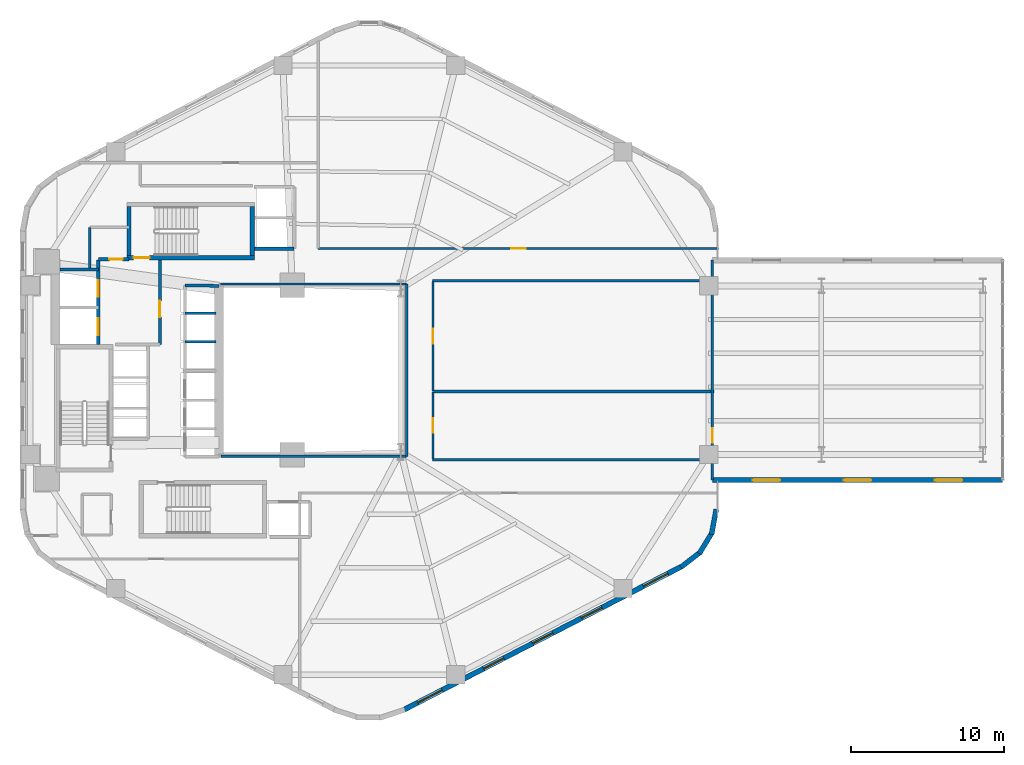
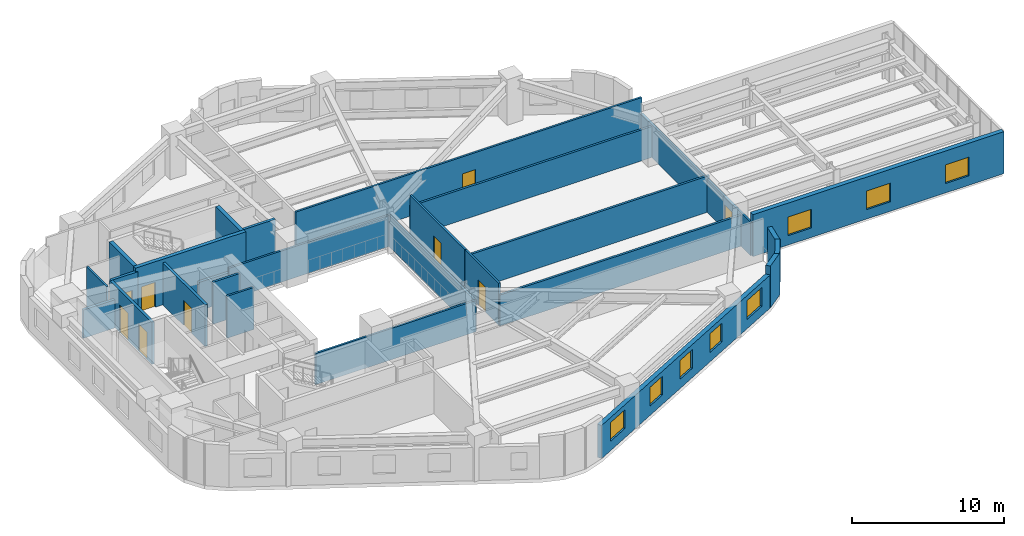
# One storey, part 6 of 10: 27 walls, 9 doors, 8 windows, 17 openings.
"""IFC4 building model written with IfcOpenShell, lengths in metres."""

from ifc_helpers import new_model, si_unit, direction, frame, frame_2d, origin, place, context, subcontext, project, spatial, rectangle, extrude, material, layer, layer_set, type_object, element, fill, save


model = new_model("IFC4")

# Units and contexts
model_context = context("Model", 3, precision=1e-05, world=origin(), true_north=direction((0.0, 1.0)))
body_context = subcontext(model_context, "Body", "Model", "MODEL_VIEW")
ifc_project = project(units=[si_unit("LENGTHUNIT", "METRE"), si_unit("AREAUNIT", "SQUARE_METRE"), si_unit("VOLUMEUNIT", "CUBIC_METRE"), si_unit("PLANEANGLEUNIT", "RADIAN"), si_unit("MASSUNIT", "GRAM", prefix="KILO"), si_unit("THERMODYNAMICTEMPERATUREUNIT", "KELVIN"), si_unit("POWERUNIT", "WATT")], contexts=[model_context])

# Site, building, storey
site_placement = place(None, origin())
site = spatial("IfcSite", under=ifc_project, at=site_placement, CompositionType="ELEMENT")
building_placement = place(site_placement, origin())
building = spatial("IfcBuilding", under=site, at=building_placement, Name="Skarre Station Tower", CompositionType="ELEMENT")
storey_placement = place(building_placement, frame((0.0, 0.0, 56.199951171875)))
storey = spatial("IfcBuildingStorey", under=building, at=storey_placement, Name="L14", CompositionType="ELEMENT", Elevation=56.199951171875)

# Walls
ifc_material_1 = material(Name="Acoustic Steel-Stud Gypsum Partition", Category="steel")
ifc_layer_1 = layer(ifc_material_1, 0.14990234375, Name="Acoustic Steel-Stud Gypsum Partition")
ifc_layer_set_1 = layer_set([ifc_layer_1], Name="Acoustic Steel-Stud Gypsum Partition")
wall_type_1 = type_object("IfcWallType", Name="Fire-Rated Corridor Acoustic Partition 150", PredefinedType="PARTITIONING", material=ifc_layer_set_1)
wall_1_placement = place(storey_placement, frame((19.10009765625, 33.35009765625, 0.0), z_axis=(0.0, 0.0, 1.0), x_axis=(0.0, -1.0, 0.0)))
element("IfcWall", 1, at=wall_1_placement, inside=storey, type_object=wall_type_1, Name="L14 Interior Partition WL-PT-L14-CNW-W", PredefinedType="PARTITIONING", context=body_context, shape_type="SweptSolid", body=[
    extrude(rectangle(XDim=2.655029296875, YDim=0.14990234375, at=frame_2d((1.32763671875, 0.0))), origin(), (0.0, 0.0, 1.0), 3.360107421875),
])
wall_2_placement = place(storey_placement, frame((27.699951171875, 18.360107421875, 0.0), z_axis=(0.0, 0.0, 1.0), x_axis=(1.0, 0.0, 0.0)))
element("IfcWall", 2, at=wall_2_placement, inside=storey, type_object=wall_type_1, Name="L14 Interior Partition WL-PT-L14-ATRW-S", PredefinedType="PARTITIONING", context=body_context, shape_type="SweptSolid", body=[
    extrude(rectangle(XDim=12.14013671875, YDim=0.14990234375, at=frame_2d((6.070068359375, 0.0))), origin(), (0.0, 0.0, 1.0), 2.5009765625),
])
wall_3_placement = place(storey_placement, frame((39.840087890625, 29.639892578125, 0.0), z_axis=(0.0, 0.0, 1.0), x_axis=(-1.0, 0.0, 0.0)))
element("IfcWall", 3, at=wall_3_placement, inside=storey, type_object=wall_type_1, Name="L14 Interior Partition WL-PT-L14-ATRW-N", PredefinedType="PARTITIONING", context=body_context, shape_type="SweptSolid", body=[
    extrude(rectangle(XDim=12.2001953125, YDim=0.14990234375, at=frame_2d((6.10009765625, 0.0))), origin(), (0.0, 0.0, 1.0), 2.5009765625),
])
wall_4_placement = place(storey_placement, frame((39.840087890625, 18.360107421875, 0.0), z_axis=(0.0, 0.0, 1.0), x_axis=(0.0, 1.0, 0.0)))
element("IfcWall", 4, at=wall_4_placement, inside=storey, type_object=wall_type_1, Name="L14 Interior Partition WL-PT-L14-ATRW-E", PredefinedType="PARTITIONING", context=body_context, shape_type="SweptSolid", body=[
    extrude(rectangle(XDim=11.27978515625, YDim=0.14990234375, at=frame_2d((5.639892578125, 0.0))), origin(), (0.0, 0.0, 1.0), 2.483154296875),
])

# Wall, opening, door
wall_5_placement = place(storey_placement, frame((60.2529296875, 31.9599609375, 0.0), z_axis=(0.0, 0.0, 1.0), x_axis=(-1.0, 0.0, 0.0)))
wall_5 = element("IfcWall", 5, at=wall_5_placement, inside=storey, type_object=wall_type_1, Name="L14 Interior Partition WL-PT-L14-NW1-CW", PredefinedType="PARTITIONING", context=body_context, shape_type="SweptSolid", body=[
    extrude(rectangle(XDim=26.212890625, YDim=0.14990234375, at=frame_2d((13.1064453125, 0.0))), origin(), (0.0, 0.0, 1.0), 3.360107421875),
])
opening_1_placement = place(wall_5_placement, frame((12.612060546875, 0.0, 0.0)))
opening_1 = element("IfcOpeningElement", 6, at=opening_1_placement, cuts=wall_5, Name="Opening DR-FD60", PredefinedType="OPENING", context=body_context, shape_type="SweptSolid", body=[
    extrude(rectangle(XDim=0.9599609375, YDim=2.0, at=frame_2d((0.47998046875, 1.0))), frame((0.0, 0.0849609375, 0.0), z_axis=(0.0, -1.0, 0.0), x_axis=(1.0, 0.0, 0.0)), (0.0, 0.0, 1.0), 0.169921875),
])
ifc_material_2 = material(Name="Nordic White-Oak Veneer Solid-Core Fire Leaf", Category="wood")
door_type_1 = type_object("IfcDoorType", Name="Corridor Suite Entry Fire Door FD60 960x2150", OperationType="SINGLE_SWING_LEFT", PredefinedType="DOOR", material=ifc_material_2)
door_1_placement = place(opening_1_placement, origin())
door_1 = element("IfcDoor", 7, at=door_1_placement, inside=storey, type_object=door_type_1, Name="L14 NW1 Entry Door", OperationType="SINGLE_SWING_LEFT", OverallHeight=2.0, OverallWidth=0.9599609375, PredefinedType="DOOR", context=body_context, shape_type="SweptSolid", body=[
    extrude(rectangle(XDim=0.9599609375, YDim=2.0, at=frame_2d((0.47998046875, 1.0))), frame((0.0, 0.02490234375, 0.0), z_axis=(0.0, -1.0, 0.0), x_axis=(1.0, 0.0, 0.0)), (0.0, 0.0, 1.0), 0.050048828125),
])
fill(opening_1, door_1)

wall_6_placement = place(storey_placement, frame((41.56005859375, 18.179931640625, 0.0), z_axis=(0.0, 0.0, 1.0), x_axis=(0.0, 1.0, 0.0)))
wall_6 = element("IfcWall", 8, at=wall_6_placement, inside=storey, type_object=wall_type_1, Name="L14 Interior Partition WL-PT-L14-EW1-CW", PredefinedType="PARTITIONING", context=body_context, shape_type="SweptSolid", body=[
    extrude(rectangle(XDim=4.405029296875, YDim=0.14990234375, at=frame_2d((2.20263671875, 0.0))), origin(), (0.0, 0.0, 1.0), 3.360107421875),
])
opening_2_placement = place(wall_6_placement, frame((1.722900390625, 0.0, 0.0)))
opening_2 = element("IfcOpeningElement", 9, at=opening_2_placement, cuts=wall_6, Name="Opening DR-FD60", PredefinedType="OPENING", context=body_context, shape_type="SweptSolid", body=[
    extrude(rectangle(XDim=0.9599609375, YDim=2.0, at=frame_2d((0.47998046875, 1.0))), frame((0.0, 0.0849609375, 0.0), z_axis=(0.0, -1.0, 0.0), x_axis=(1.0, 0.0, 0.0)), (0.0, 0.0, 1.0), 0.169921875),
])
door_2_placement = place(opening_2_placement, origin())
door_2 = element("IfcDoor", 10, at=door_2_placement, inside=storey, type_object=door_type_1, Name="L14 EW1 Entry Door", OperationType="SINGLE_SWING_LEFT", OverallHeight=2.0, OverallWidth=0.9599609375, PredefinedType="DOOR", context=body_context, shape_type="SweptSolid", body=[
    extrude(rectangle(XDim=0.9599609375, YDim=2.0, at=frame_2d((0.47998046875, 1.0))), frame((0.0, 0.02490234375, 0.0), z_axis=(0.0, -1.0, 0.0), x_axis=(1.0, 0.0, 0.0)), (0.0, 0.0, 1.0), 0.050048828125),
])
fill(opening_2, door_2)

wall_7_placement = place(storey_placement, frame((41.56005859375, 22.62109375, 0.0), z_axis=(0.0, 0.0, 1.0), x_axis=(0.0, 1.0, 0.0)))
wall_7 = element("IfcWall", 11, at=wall_7_placement, inside=storey, type_object=wall_type_1, Name="L14 Interior Partition WL-PT-L14-EW2-CW", PredefinedType="PARTITIONING", context=body_context, shape_type="SweptSolid", body=[
    extrude(rectangle(XDim=7.198974609375, YDim=0.14990234375, at=frame_2d((3.599609375, 0.0))), origin(), (0.0, 0.0, 1.0), 3.360107421875),
])
opening_3_placement = place(wall_7_placement, frame((3.1201171875, 0.0, 0.0)))
opening_3 = element("IfcOpeningElement", 12, at=opening_3_placement, cuts=wall_7, Name="Opening DR-FD60", PredefinedType="OPENING", context=body_context, shape_type="SweptSolid", body=[
    extrude(rectangle(XDim=0.9599609375, YDim=2.0, at=frame_2d((0.47998046875, 1.0))), frame((0.0, 0.0849609375, 0.0), z_axis=(0.0, -1.0, 0.0), x_axis=(1.0, 0.0, 0.0)), (0.0, 0.0, 1.0), 0.169921875),
])
door_3_placement = place(opening_3_placement, origin())
door_3 = element("IfcDoor", 13, at=door_3_placement, inside=storey, type_object=door_type_1, Name="L14 EW2 Entry Door", OperationType="SINGLE_SWING_LEFT", OverallHeight=2.0, OverallWidth=0.9599609375, PredefinedType="DOOR", context=body_context, shape_type="SweptSolid", body=[
    extrude(rectangle(XDim=0.9599609375, YDim=2.0, at=frame_2d((0.47998046875, 1.0))), frame((0.0, 0.02490234375, 0.0), z_axis=(0.0, -1.0, 0.0), x_axis=(1.0, 0.0, 0.0)), (0.0, 0.0, 1.0), 0.050048828125),
])
fill(opening_3, door_3)

# Wall, openings, windows
ifc_material_3 = material(Name="Precast concrete C45/55", Category="concrete")
ifc_layer_2 = layer(ifc_material_3, 0.340087890625, Name="Precast concrete C45/55")
ifc_layer_set_2 = layer_set([ifc_layer_2], Name="Precast concrete C45/55")
wall_type_2 = type_object("IfcWallType", Name="Nordic Honed Precast Facet Wall 340", PredefinedType="STANDARD", material=ifc_layer_set_2)
wall_8_placement = place(storey_placement, frame((57.8759765625, 11.158935546875, 0.0), z_axis=(0.0, 0.0, 1.0), x_axis=(-0.888634413993, -0.458616264721, 0.0)))
wall_8 = element("IfcWall", 14, at=wall_8_placement, inside=storey, type_object=wall_type_2, Name="L14 Facet 4 Nordic Precast Masonry Wall", PredefinedType="STANDARD", context=body_context, shape_type="SweptSolid", body=[
    extrude(rectangle(XDim=20.53125, YDim=0.340087890625, at=frame_2d((10.265625, 0.0))), origin(), (0.0, 0.0, 1.0), 2.654052734375),
])
opening_4_placement = place(wall_8_placement, frame((1.05810546875, 0.0, 0.75)))
opening_4 = element("IfcOpeningElement", 15, at=opening_4_placement, cuts=wall_8, Name="Opening WN-Z1A", PredefinedType="OPENING", context=body_context, shape_type="SweptSolid", body=[
    extrude(rectangle(XDim=1.800048828125, YDim=1.5, at=frame_2d((0.89990234375, 0.75))), frame((0.0, 0.179931640625, 0.0), z_axis=(0.0, -1.0, 0.0), x_axis=(1.0, 0.0, 0.0)), (0.0, 0.0, 1.0), 0.360107421875),
])
opening_5_placement = place(wall_8_placement, frame((5.903076171875, 0.0, 0.75)))
opening_5 = element("IfcOpeningElement", 16, at=opening_5_placement, cuts=wall_8, Name="Opening WN-Z1B", PredefinedType="OPENING", context=body_context, shape_type="SweptSolid", body=[
    extrude(rectangle(XDim=1.5, YDim=1.5, at=frame_2d((0.75, 0.75))), frame((0.0, 0.179931640625, 0.0), z_axis=(0.0, -1.0, 0.0), x_axis=(1.0, 0.0, 0.0)), (0.0, 0.0, 1.0), 0.360107421875),
])
opening_6_placement = place(wall_8_placement, frame((9.51611328125, 0.0, 0.75)))
opening_6 = element("IfcOpeningElement", 17, at=opening_6_placement, cuts=wall_8, Name="Opening WN-Z1B", PredefinedType="OPENING", context=body_context, shape_type="SweptSolid", body=[
    extrude(rectangle(XDim=1.5, YDim=1.5, at=frame_2d((0.75, 0.75))), frame((0.0, 0.179931640625, 0.0), z_axis=(0.0, -1.0, 0.0), x_axis=(1.0, 0.0, 0.0)), (0.0, 0.0, 1.0), 0.360107421875),
])
opening_7_placement = place(wall_8_placement, frame((13.12890625, 0.0, 0.75)))
opening_7 = element("IfcOpeningElement", 18, at=opening_7_placement, cuts=wall_8, Name="Opening WN-Z1B", PredefinedType="OPENING", context=body_context, shape_type="SweptSolid", body=[
    extrude(rectangle(XDim=1.5, YDim=1.5, at=frame_2d((0.75, 0.75))), frame((0.0, 0.179931640625, 0.0), z_axis=(0.0, -1.0, 0.0), x_axis=(1.0, 0.0, 0.0)), (0.0, 0.0, 1.0), 0.360107421875),
])
opening_8_placement = place(wall_8_placement, frame((17.673095703125, 0.0, 0.75)))
opening_8 = element("IfcOpeningElement", 19, at=opening_8_placement, cuts=wall_8, Name="Opening WN-Z1A", PredefinedType="OPENING", context=body_context, shape_type="SweptSolid", body=[
    extrude(rectangle(XDim=1.800048828125, YDim=1.5, at=frame_2d((0.89990234375, 0.75))), frame((0.0, 0.179931640625, 0.0), z_axis=(0.0, -1.0, 0.0), x_axis=(1.0, 0.0, 0.0)), (0.0, 0.0, 1.0), 0.360107421875),
])
ifc_material_4 = material(Name="Low-Iron Triple Glazing with Bronze Anodized Frame", Category="glass")
window_type_1 = type_object("IfcWindowType", Name="Nordic Punched Triple-Glazed Window 1500x1500", PartitioningType="SINGLE_PANEL", PredefinedType="WINDOW", material=ifc_material_4)
window_1_placement = place(opening_5_placement, origin())
window_1 = element("IfcWindow", 20, at=window_1_placement, inside=storey, type_object=window_type_1, Name="L14 Facade Window WL-FAC-L14-F4-2", OverallHeight=1.5, OverallWidth=1.5, PartitioningType="SINGLE_PANEL", PredefinedType="WINDOW", context=body_context, shape_type="SweptSolid", body=[
    extrude(rectangle(XDim=1.5, YDim=1.5, at=frame_2d((0.75, 0.75))), frame((0.0, 0.030029296875, 0.0), z_axis=(0.0, -1.0, 0.0), x_axis=(1.0, 0.0, 0.0)), (0.0, 0.0, 1.0), 0.06005859375),
])
fill(opening_5, window_1)
window_2_placement = place(opening_6_placement, origin())
window_2 = element("IfcWindow", 21, at=window_2_placement, inside=storey, type_object=window_type_1, Name="L14 Facade Window WL-FAC-L14-F4-3", OverallHeight=1.5, OverallWidth=1.5, PartitioningType="SINGLE_PANEL", PredefinedType="WINDOW", context=body_context, shape_type="SweptSolid", body=[
    extrude(rectangle(XDim=1.5, YDim=1.5, at=frame_2d((0.75, 0.75))), frame((0.0, 0.030029296875, 0.0), z_axis=(0.0, -1.0, 0.0), x_axis=(1.0, 0.0, 0.0)), (0.0, 0.0, 1.0), 0.06005859375),
])
fill(opening_6, window_2)
window_3_placement = place(opening_7_placement, origin())
window_3 = element("IfcWindow", 22, at=window_3_placement, inside=storey, type_object=window_type_1, Name="L14 Facade Window WL-FAC-L14-F4-4", OverallHeight=1.5, OverallWidth=1.5, PartitioningType="SINGLE_PANEL", PredefinedType="WINDOW", context=body_context, shape_type="SweptSolid", body=[
    extrude(rectangle(XDim=1.5, YDim=1.5, at=frame_2d((0.75, 0.75))), frame((0.0, 0.030029296875, 0.0), z_axis=(0.0, -1.0, 0.0), x_axis=(1.0, 0.0, 0.0)), (0.0, 0.0, 1.0), 0.06005859375),
])
fill(opening_7, window_3)
window_type_2 = type_object("IfcWindowType", Name="Nordic Punched Triple-Glazed Window 1800x1500", PartitioningType="SINGLE_PANEL", PredefinedType="WINDOW", material=ifc_material_4)
window_4_placement = place(opening_4_placement, origin())
window_4 = element("IfcWindow", 23, at=window_4_placement, inside=storey, type_object=window_type_2, Name="L14 Facade Window WL-FAC-L14-F4-1", OverallHeight=1.5, OverallWidth=1.800048828125, PartitioningType="SINGLE_PANEL", PredefinedType="WINDOW", context=body_context, shape_type="SweptSolid", body=[
    extrude(rectangle(XDim=1.800048828125, YDim=1.5, at=frame_2d((0.89990234375, 0.75))), frame((0.0, 0.030029296875, 0.0), z_axis=(0.0, -1.0, 0.0), x_axis=(1.0, 0.0, 0.0)), (0.0, 0.0, 1.0), 0.06005859375),
])
fill(opening_4, window_4)
window_5_placement = place(opening_8_placement, origin())
window_5 = element("IfcWindow", 24, at=window_5_placement, inside=storey, type_object=window_type_2, Name="L14 Facade Window WL-FAC-L14-F4-5", OverallHeight=1.5, OverallWidth=1.800048828125, PartitioningType="SINGLE_PANEL", PredefinedType="WINDOW", context=body_context, shape_type="SweptSolid", body=[
    extrude(rectangle(XDim=1.800048828125, YDim=1.5, at=frame_2d((0.89990234375, 0.75))), frame((0.0, 0.030029296875, 0.0), z_axis=(0.0, -1.0, 0.0), x_axis=(1.0, 0.0, 0.0)), (0.0, 0.0, 1.0), 0.06005859375),
])
fill(opening_8, window_5)

wall_9_placement = place(storey_placement, frame((78.863037109375, 16.800048828125, 0.0), z_axis=(0.0, 0.0, 1.0), x_axis=(-1.0, 0.0, 0.0)))
wall_9 = element("IfcWall", 25, at=wall_9_placement, inside=storey, type_object=wall_type_2, Name="L14 SB-1 Side 1 Precast Wall", PredefinedType="STANDARD", context=body_context, shape_type="SweptSolid", body=[
    extrude(rectangle(XDim=19.0, YDim=0.340087890625, at=frame_2d((9.5, 0.0))), origin(), (0.0, 0.0, 1.0), 3.360107421875),
])
opening_9_placement = place(wall_9_placement, frame((2.633056640625, 0.0, 0.75)))
opening_9 = element("IfcOpeningElement", 26, at=opening_9_placement, cuts=wall_9, Name="Opening WN-Z1A", PredefinedType="OPENING", context=body_context, shape_type="SweptSolid", body=[
    extrude(rectangle(XDim=1.800048828125, YDim=1.5, at=frame_2d((0.89990234375, 0.75))), frame((0.0, 0.179931640625, 0.0), z_axis=(0.0, -1.0, 0.0), x_axis=(1.0, 0.0, 0.0)), (0.0, 0.0, 1.0), 0.360107421875),
])
opening_10_placement = place(wall_9_placement, frame((8.60009765625, 0.0, 0.75)))
opening_10 = element("IfcOpeningElement", 27, at=opening_10_placement, cuts=wall_9, Name="Opening WN-Z1A", PredefinedType="OPENING", context=body_context, shape_type="SweptSolid", body=[
    extrude(rectangle(XDim=1.800048828125, YDim=1.5, at=frame_2d((0.89990234375, 0.75))), frame((0.0, 0.179931640625, 0.0), z_axis=(0.0, -1.0, 0.0), x_axis=(1.0, 0.0, 0.0)), (0.0, 0.0, 1.0), 0.360107421875),
])
opening_11_placement = place(wall_9_placement, frame((14.56689453125, 0.0, 0.75)))
opening_11 = element("IfcOpeningElement", 28, at=opening_11_placement, cuts=wall_9, Name="Opening WN-Z1A", PredefinedType="OPENING", context=body_context, shape_type="SweptSolid", body=[
    extrude(rectangle(XDim=1.800048828125, YDim=1.5, at=frame_2d((0.89990234375, 0.75))), frame((0.0, 0.179931640625, 0.0), z_axis=(0.0, -1.0, 0.0), x_axis=(1.0, 0.0, 0.0)), (0.0, 0.0, 1.0), 0.360107421875),
])
window_6_placement = place(opening_9_placement, origin())
window_6 = element("IfcWindow", 29, at=window_6_placement, inside=storey, type_object=window_type_2, Name="L14 Facade Window WL-SB-1-L14-S1-1", OverallHeight=1.5, OverallWidth=1.800048828125, PartitioningType="SINGLE_PANEL", PredefinedType="WINDOW", context=body_context, shape_type="SweptSolid", body=[
    extrude(rectangle(XDim=1.800048828125, YDim=1.5, at=frame_2d((0.89990234375, 0.75))), frame((0.0, 0.030029296875, 0.0), z_axis=(0.0, -1.0, 0.0), x_axis=(1.0, 0.0, 0.0)), (0.0, 0.0, 1.0), 0.06005859375),
])
fill(opening_9, window_6)
window_7_placement = place(opening_10_placement, origin())
window_7 = element("IfcWindow", 30, at=window_7_placement, inside=storey, type_object=window_type_2, Name="L14 Facade Window WL-SB-1-L14-S1-2", OverallHeight=1.5, OverallWidth=1.800048828125, PartitioningType="SINGLE_PANEL", PredefinedType="WINDOW", context=body_context, shape_type="SweptSolid", body=[
    extrude(rectangle(XDim=1.800048828125, YDim=1.5, at=frame_2d((0.89990234375, 0.75))), frame((0.0, 0.030029296875, 0.0), z_axis=(0.0, -1.0, 0.0), x_axis=(1.0, 0.0, 0.0)), (0.0, 0.0, 1.0), 0.06005859375),
])
fill(opening_10, window_7)
window_8_placement = place(opening_11_placement, origin())
window_8 = element("IfcWindow", 31, at=window_8_placement, inside=storey, type_object=window_type_2, Name="L14 Facade Window WL-SB-1-L14-S1-3", OverallHeight=1.5, OverallWidth=1.800048828125, PartitioningType="SINGLE_PANEL", PredefinedType="WINDOW", context=body_context, shape_type="SweptSolid", body=[
    extrude(rectangle(XDim=1.800048828125, YDim=1.5, at=frame_2d((0.89990234375, 0.75))), frame((0.0, 0.030029296875, 0.0), z_axis=(0.0, -1.0, 0.0), x_axis=(1.0, 0.0, 0.0)), (0.0, 0.0, 1.0), 0.06005859375),
])
fill(opening_11, window_8)

# Walls
ifc_layer_3 = layer(ifc_material_3, 0.330078125, Name="Precast concrete C45/55")
ifc_layer_set_3 = layer_set([ifc_layer_3], Name="Precast concrete C45/55")
wall_type_3 = type_object("IfcWallType", Name="Nordic Rounded Corner Precast Wall 330", PredefinedType="STANDARD", material=ifc_layer_set_3)
wall_10_placement = place(storey_placement, frame((60.113037109375, 14.89208984375, 0.0), z_axis=(0.0, 0.0, 1.0), x_axis=(-0.181714143354, -0.983351397063, 0.0)))
element("IfcWall", 32, at=wall_10_placement, inside=storey, type_object=wall_type_3, Name="L14 Rounded Corner Precast Wall F5-1", PredefinedType="STANDARD", context=body_context, shape_type="SweptSolid", body=[
    extrude(rectangle(XDim=1.677978515625, YDim=0.330078125, at=frame_2d((0.8388671875, 0.0))), origin(), (0.0, 0.0, 1.0), 3.360107421875),
])
wall_11_placement = place(storey_placement, frame((59.875, 13.4169921875, 0.0), z_axis=(0.0, 0.0, 1.0), x_axis=(-0.520584129191, -0.853810379671, 0.0)))
element("IfcWall", 33, at=wall_11_placement, inside=storey, type_object=wall_type_3, Name="L14 Rounded Corner Precast Wall F5-2", PredefinedType="STANDARD", context=body_context, shape_type="SweptSolid", body=[
    extrude(rectangle(XDim=1.677001953125, YDim=0.330078125, at=frame_2d((0.83837890625, 0.0))), origin(), (0.0, 0.0, 1.0), 3.360107421875),
])
wall_12_placement = place(storey_placement, frame((59.126953125, 12.125, 0.0), z_axis=(0.0, 0.0, 1.0), x_axis=(-0.790691856293, -0.61221433207, 0.0)))
element("IfcWall", 34, at=wall_12_placement, inside=storey, type_object=wall_type_3, Name="L14 Rounded Corner Precast Wall F5-3", PredefinedType="STANDARD", context=body_context, shape_type="SweptSolid", body=[
    extrude(rectangle(XDim=1.67578125, YDim=0.330078125, at=frame_2d((0.837890625, 0.0))), origin(), (0.0, 0.0, 1.0), 3.360107421875),
])

# Wall, opening, door
ifc_material_5 = material(Name="Concrete C50/60", Category="concrete")
ifc_layer_4 = layer(ifc_material_5, 0.280029296875, Name="Concrete C50/60")
ifc_layer_set_4 = layer_set([ifc_layer_4], Name="Concrete C50/60")
wall_type_4 = type_object("IfcWallType", Name="RC Core Shear Wall 280", PredefinedType="SHEAR", material=ifc_layer_set_4)
wall_13_placement = place(storey_placement, frame((21.52001953125, 31.360107421875, 0.0), z_axis=(0.0, 0.0, 1.0), x_axis=(1.0, 0.0, 0.0)))
wall_13 = element("IfcWall", 35, at=wall_13_placement, inside=storey, type_object=wall_type_4, Name="L14 Stair ST-3 South Shear Wall", PredefinedType="SHEAR", context=body_context, shape_type="SweptSolid", body=[
    extrude(rectangle(XDim=8.35986328125, YDim=0.280029296875, at=frame_2d((4.179931640625, 0.0))), origin(), (0.0, 0.0, 1.0), 3.650146484375),
])
opening_12_placement = place(wall_13_placement, frame((0.449951171875, 0.0, 0.0)))
opening_12 = element("IfcOpeningElement", 36, at=opening_12_placement, cuts=wall_13, Name="Opening DR-FD90", PredefinedType="OPENING", context=body_context, shape_type="SweptSolid", body=[
    extrude(rectangle(XDim=1.050048828125, YDim=2.0, at=frame_2d((0.52490234375, 1.0))), frame((0.0, 0.14990234375, 0.0), z_axis=(0.0, -1.0, 0.0), x_axis=(1.0, 0.0, 0.0)), (0.0, 0.0, 1.0), 0.300048828125),
])
ifc_material_6 = material(Name="Fire-Rated Insulated Steel Frame & Timber Core Leaf", Category="steel")
door_type_2 = type_object("IfcDoorType", Name="Stair & FSAE Lobby Fire Door FD90 1050x2150", OperationType="SINGLE_SWING_RIGHT", PredefinedType="DOOR", material=ifc_material_6)
door_4_placement = place(opening_12_placement, origin())
door_4 = element("IfcDoor", 37, at=door_4_placement, inside=storey, type_object=door_type_2, Name="L14 Stair ST-3 & FSAE Lobby Direct Exit Door", OperationType="SINGLE_SWING_LEFT", OverallHeight=2.0, OverallWidth=1.050048828125, PredefinedType="DOOR", context=body_context, shape_type="SweptSolid", body=[
    extrude(rectangle(XDim=1.050048828125, YDim=2.0, at=frame_2d((0.52490234375, 1.0))), frame((0.0, 0.02490234375, 0.0), z_axis=(0.0, -1.0, 0.0), x_axis=(1.0, 0.0, 0.0)), (0.0, 0.0, 1.0), 0.050048828125),
])
fill(opening_12, door_4)

# Walls
for number, where, z_axis, x_axis, name in (
    (38, (21.659912109375, 34.699951171875, 0.0), (0.0, 0.0, 1.0), (0.0, -1.0, 0.0), "L14 Stair ST-3 West Shear Wall"),
    (39, (29.739990234375, 31.5, 0.0), (0.0, 0.0, 1.0), (0.0, 1.0, 0.0), "L14 Stair ST-3 East Shear Wall"),
):
    element("IfcWall", number, at=place(storey_placement, frame(where, z_axis=z_axis, x_axis=x_axis)), inside=storey, type_object=wall_type_4, Name=name, PredefinedType="SHEAR", context=body_context, shape_type="SweptSolid", body=[
        extrude(rectangle(XDim=3.199951171875, YDim=0.280029296875, at=frame_2d((1.60009765625, 0.0))), origin(), (0.0, 0.0, 1.0), 3.650146484375),
    ])

# Wall, openings, doors
ifc_material_7 = material(Name="Gypsum Concrete Shaft Assembly C30/37", Category="concrete")
ifc_layer_5 = layer(ifc_material_7, 0.199951171875, Name="Gypsum Concrete Shaft Assembly C30/37")
ifc_layer_set_5 = layer_set([ifc_layer_5], Name="Gypsum Concrete Shaft Assembly C30/37")
wall_type_5 = type_object("IfcWallType", Name="Shaft & Core Fire Partition 200", PredefinedType="PARTITIONING", material=ifc_layer_set_5)
wall_14_placement = place(storey_placement, frame((19.64990234375, 25.679931640625, 0.0), z_axis=(0.0, 0.0, 1.0), x_axis=(0.0, 1.0, 0.0)))
wall_14 = element("IfcWall", 40, at=wall_14_placement, inside=storey, type_object=wall_type_5, Name="L14 Interior Partition WL-PT-L14-FSAE-W", PredefinedType="PARTITIONING", context=body_context, shape_type="SweptSolid", body=[
    extrude(rectangle(XDim=5.5400390625, YDim=0.199951171875, at=frame_2d((2.77001953125, 0.0))), origin(), (0.0, 0.0, 1.0), 3.360107421875),
])
opening_13_placement = place(wall_14_placement, frame((0.6201171875, 0.0, 0.0)))
opening_13 = element("IfcOpeningElement", 41, at=opening_13_placement, cuts=wall_14, Name="Opening LD-FF1", PredefinedType="OPENING", context=body_context, shape_type="SweptSolid", body=[
    extrude(rectangle(XDim=1.10009765625, YDim=2.199951171875, at=frame_2d((0.550048828125, 1.10009765625))), frame((0.0, 0.10986328125, 0.0), z_axis=(0.0, -1.0, 0.0), x_axis=(1.0, 0.0, 0.0)), (0.0, 0.0, 1.0), 0.219970703125),
])
opening_14_placement = place(wall_14_placement, frame((3.1201171875, 0.0, 0.0)))
opening_14 = element("IfcOpeningElement", 42, at=opening_14_placement, cuts=wall_14, Name="Opening LD-FF2", PredefinedType="OPENING", context=body_context, shape_type="SweptSolid", body=[
    extrude(rectangle(XDim=1.10009765625, YDim=2.199951171875, at=frame_2d((0.550048828125, 1.10009765625))), frame((0.0, 0.10986328125, 0.0), z_axis=(0.0, -1.0, 0.0), x_axis=(1.0, 0.0, 0.0)), (0.0, 0.0, 1.0), 0.219970703125),
])
ifc_material_8 = material(Name="Fire-Rated Stainless Steel Grade 316L Sliding Leaves", Category="steel")
door_type_3 = type_object("IfcDoorType", Name="Fire Service Access Elevator Sliding Landing Door 1100x2200", OperationType="SLIDING_TO_LEFT", PredefinedType="DOOR", material=ifc_material_8)
door_5_placement = place(opening_13_placement, origin())
door_5 = element("IfcDoor", 43, at=door_5_placement, inside=storey, type_object=door_type_3, Name="L14 Firefighting Lift LF-FF1 Landing Door", OperationType="SLIDING_TO_LEFT", OverallHeight=2.199951171875, OverallWidth=1.10009765625, PredefinedType="DOOR", context=body_context, shape_type="SweptSolid", body=[
    extrude(rectangle(XDim=1.10009765625, YDim=2.199951171875, at=frame_2d((0.550048828125, 1.10009765625))), frame((0.0, 0.02490234375, 0.0), z_axis=(0.0, -1.0, 0.0), x_axis=(1.0, 0.0, 0.0)), (0.0, 0.0, 1.0), 0.050048828125),
])
fill(opening_13, door_5)
door_6_placement = place(opening_14_placement, origin())
door_6 = element("IfcDoor", 44, at=door_6_placement, inside=storey, type_object=door_type_3, Name="L14 Firefighting Lift LF-FF2 Landing Door", OperationType="SLIDING_TO_LEFT", OverallHeight=2.199951171875, OverallWidth=1.10009765625, PredefinedType="DOOR", context=body_context, shape_type="SweptSolid", body=[
    extrude(rectangle(XDim=1.10009765625, YDim=2.199951171875, at=frame_2d((0.550048828125, 1.10009765625))), frame((0.0, 0.02490234375, 0.0), z_axis=(0.0, -1.0, 0.0), x_axis=(1.0, 0.0, 0.0)), (0.0, 0.0, 1.0), 0.050048828125),
])
fill(opening_14, door_6)

# Wall, opening, door
wall_15_placement = place(storey_placement, frame((23.679931640625, 25.679931640625, 0.0), z_axis=(0.0, 0.0, 1.0), x_axis=(0.0, 1.0, 0.0)))
wall_15 = element("IfcWall", 45, at=wall_15_placement, inside=storey, type_object=wall_type_5, Name="L14 Interior Partition WL-PT-L14-FSAE-E", PredefinedType="PARTITIONING", context=body_context, shape_type="SweptSolid", body=[
    extrude(rectangle(XDim=5.5400390625, YDim=0.199951171875, at=frame_2d((2.77001953125, 0.0))), origin(), (0.0, 0.0, 1.0), 3.360107421875),
])
opening_15_placement = place(wall_15_placement, frame((1.800048828125, 0.0, 0.0)))
opening_15 = element("IfcOpeningElement", 46, at=opening_15_placement, cuts=wall_15, Name="Opening DR-FD90", PredefinedType="OPENING", context=body_context, shape_type="SweptSolid", body=[
    extrude(rectangle(XDim=1.050048828125, YDim=2.0, at=frame_2d((0.52490234375, 1.0))), frame((0.0, 0.10986328125, 0.0), z_axis=(0.0, -1.0, 0.0), x_axis=(1.0, 0.0, 0.0)), (0.0, 0.0, 1.0), 0.219970703125),
])
door_7_placement = place(opening_15_placement, origin())
door_7 = element("IfcDoor", 47, at=door_7_placement, inside=storey, type_object=door_type_2, Name="L14 FSAE Lobby Fire Door", OperationType="SINGLE_SWING_RIGHT", OverallHeight=2.0, OverallWidth=1.050048828125, PredefinedType="DOOR", context=body_context, shape_type="SweptSolid", body=[
    extrude(rectangle(XDim=1.050048828125, YDim=2.0, at=frame_2d((0.52490234375, 1.0))), frame((0.0, 0.02490234375, 0.0), z_axis=(0.0, -1.0, 0.0), x_axis=(1.0, 0.0, 0.0)), (0.0, 0.0, 1.0), 0.050048828125),
])
fill(opening_15, door_7)

wall_16_placement = place(storey_placement, frame((21.659912109375, 31.260009765625, 0.0), z_axis=(0.0, 0.0, 1.0), x_axis=(-1.0, 0.0, 0.0)))
wall_16 = element("IfcWall", 48, at=wall_16_placement, inside=storey, type_object=wall_type_5, Name="L14 Interior Partition WL-PT-L14-FSAE-N", PredefinedType="PARTITIONING", context=body_context, shape_type="SweptSolid", body=[
    extrude(rectangle(XDim=2.010009765625, YDim=0.199951171875, at=frame_2d((1.0048828125, 0.0))), origin(), (0.0, 0.0, 1.0), 3.360107421875),
])
opening_16_placement = place(wall_16_placement, frame((0.419921875, 0.0, 0.0)))
opening_16 = element("IfcOpeningElement", 49, at=opening_16_placement, cuts=wall_16, Name="Opening DR-SVC86", PredefinedType="OPENING", context=body_context, shape_type="SweptSolid", body=[
    extrude(rectangle(XDim=0.860107421875, YDim=2.0, at=frame_2d((0.43017578125, 1.0))), frame((0.0, 0.10986328125, 0.0), z_axis=(0.0, -1.0, 0.0), x_axis=(1.0, 0.0, 0.0)), (0.0, 0.0, 1.0), 0.219970703125),
])
ifc_material_9 = material(Name="Powder-Coated Hollow-Metal Acoustic Fire Leaf", Category="steel")
door_type_4 = type_object("IfcDoorType", Name="Compact Riser Fire Door FD60 860x2100", OperationType="SINGLE_SWING_LEFT", PredefinedType="DOOR", material=ifc_material_9)
door_8_placement = place(opening_16_placement, origin())
door_8 = element("IfcDoor", 50, at=door_8_placement, inside=storey, type_object=door_type_4, Name="L14 Core Service Room Lobby Door", OperationType="SINGLE_SWING_LEFT", OverallHeight=2.0, OverallWidth=0.860107421875, PredefinedType="DOOR", context=body_context, shape_type="SweptSolid", body=[
    extrude(rectangle(XDim=0.860107421875, YDim=2.0, at=frame_2d((0.43017578125, 1.0))), frame((0.0, 0.02490234375, 0.0), z_axis=(0.0, -1.0, 0.0), x_axis=(1.0, 0.0, 0.0)), (0.0, 0.0, 1.0), 0.050048828125),
])
fill(opening_16, door_8)

# Walls
wall_17_placement = place(storey_placement, frame((19.64990234375, 30.60009765625, 0.0), z_axis=(0.0, 0.0, 1.0), x_axis=(-1.0, 0.0, 0.0)))
element("IfcWall", 51, at=wall_17_placement, inside=storey, type_object=wall_type_5, Name="L14 Interior Partition WL-PT-L14-FF-N", PredefinedType="PARTITIONING", context=body_context, shape_type="SweptSolid", body=[
    extrude(rectangle(XDim=2.5, YDim=0.199951171875, at=frame_2d((1.25, 0.0))), origin(), (0.0, 0.0, 1.0), 2.260009765625),
])
wall_18_placement = place(storey_placement, frame((32.47998046875, 31.949951171875, 0.0), z_axis=(0.0, 0.0, 1.0), x_axis=(-1.0, 0.0, 0.0)))
element("IfcWall", 52, at=wall_18_placement, inside=storey, type_object=wall_type_5, Name="L14 Interior Partition WL-PT-L14-EX-S", PredefinedType="PARTITIONING", context=body_context, shape_type="SweptSolid", body=[
    extrude(rectangle(XDim=2.60009765625, YDim=0.199951171875, at=frame_2d((1.300048828125, 0.0))), origin(), (0.0, 0.0, 1.0), 3.360107421875),
])
wall_19_placement = place(storey_placement, frame((27.550048828125, 29.52001953125, 0.0), z_axis=(0.0, 0.0, 1.0), x_axis=(-0.999909343457, 0.013464949556, 0.0)))
element("IfcWall", 53, at=wall_19_placement, inside=storey, type_object=wall_type_5, Name="L14 Interior Partition WL-PT-L14-B12-N", PredefinedType="PARTITIONING", context=body_context, shape_type="SweptSolid", body=[
    extrude(rectangle(XDim=2.230224609375, YDim=0.199951171875, at=frame_2d((1.115234375, 0.0))), origin(), (0.0, 0.0, 1.0), 2.260009765625),
])
for number, where, z_axis, x_axis, name in (
    (54, (25.320068359375, 25.8701171875, 0.0), (0.0, 0.0, 1.0), (1.0, 0.0, 0.0), "L14 Interior Partition WL-PT-L14-B12-D258"),
    (55, (25.320068359375, 27.719970703125, 0.0), (0.0, 0.0, 1.0), (1.0, 0.0, 0.0), "L14 Interior Partition WL-PT-L14-B12-D277"),
):
    element("IfcWall", number, at=place(storey_placement, frame(where, z_axis=z_axis, x_axis=x_axis)), inside=storey, type_object=wall_type_5, Name=name, PredefinedType="PARTITIONING", context=body_context, shape_type="SweptSolid", body=[
        extrude(rectangle(XDim=2.030029296875, YDim=0.159912109375, at=frame_2d((1.01513671875, 0.0))), origin(), (0.0, 0.0, 1.0), 3.360107421875),
    ])
ifc_layer_6 = layer(ifc_material_1, 0.1650390625, Name="Acoustic Steel-Stud Gypsum Partition")
ifc_layer_set_6 = layer_set([ifc_layer_6], Name="Acoustic Steel-Stud Gypsum Partition")
wall_type_6 = type_object("IfcWallType", Name="Suite Demising Acoustic Partition 165", PredefinedType="PARTITIONING", material=ifc_layer_set_6)
for number, where, z_axis, x_axis, name in (
    (56, (41.52001953125, 18.139892578125, 0.0), (0.0, 0.0, 1.0), (1.0, 0.0, 0.0), "L14 Interior Partition WL-PT-L14-EWB-S"),
    (57, (41.52001953125, 29.860107421875, 0.0), (0.0, 0.0, 1.0), (1.0, 0.0, 0.0), "L14 Interior Partition WL-PT-L14-EWB-N"),
):
    element("IfcWall", number, at=place(storey_placement, frame(where, z_axis=z_axis, x_axis=x_axis)), inside=storey, type_object=wall_type_6, Name=name, PredefinedType="PARTITIONING", context=body_context, shape_type="SweptSolid", body=[
        extrude(rectangle(XDim=18.452880859375, YDim=0.1650390625, at=frame_2d((9.2265625, 0.0))), origin(), (0.0, 0.0, 1.0), 2.483154296875),
    ])
wall_20_placement = place(storey_placement, frame((41.590087890625, 22.60302734375, 0.0), z_axis=(0.0, 0.0, 1.0), x_axis=(1.0, 0.0, 0.0)))
element("IfcWall", 58, at=wall_20_placement, inside=storey, type_object=wall_type_6, Name="L14 Interior Partition WL-PT-L14-EW-P1", PredefinedType="PARTITIONING", context=body_context, shape_type="SweptSolid", body=[
    extrude(rectangle(XDim=18.3828125, YDim=0.1650390625, at=frame_2d((9.19140625, 0.0))), origin(), (0.0, 0.0, 1.0), 2.89697265625),
])

# Wall, opening, door
wall_21_placement = place(storey_placement, frame((59.863037109375, 16.800048828125, 0.0), z_axis=(0.0, 0.0, 1.0), x_axis=(0.0, 1.0, 0.0)))
wall_21 = element("IfcWall", 59, at=wall_21_placement, inside=storey, type_object=wall_type_6, Name="L14 Interior Partition WL-PT-L14-SB-1-ROOT", PredefinedType="PARTITIONING", context=body_context, shape_type="SweptSolid", body=[
    extrude(rectangle(XDim=14.39990234375, YDim=0.1650390625, at=frame_2d((7.199951171875, 0.0))), origin(), (0.0, 0.0, 1.0), 2.654052734375),
])
opening_17_placement = place(wall_21_placement, frame((2.449951171875, 0.0, 0.0)))
opening_17 = element("IfcOpeningElement", 60, at=opening_17_placement, cuts=wall_21, Name="Opening DR-FD60", PredefinedType="OPENING", context=body_context, shape_type="SweptSolid", body=[
    extrude(rectangle(XDim=0.9599609375, YDim=2.0, at=frame_2d((0.47998046875, 1.0))), frame((0.0, 0.092529296875, 0.0), z_axis=(0.0, -1.0, 0.0), x_axis=(1.0, 0.0, 0.0)), (0.0, 0.0, 1.0), 0.18505859375),
])
door_9_placement = place(opening_17_placement, origin())
door_9 = element("IfcDoor", 61, at=door_9_placement, inside=storey, type_object=door_type_1, Name="L14 SB-1 Horizon Salon Door", OperationType="SINGLE_SWING_LEFT", OverallHeight=2.0, OverallWidth=0.9599609375, PredefinedType="DOOR", context=body_context, shape_type="SweptSolid", body=[
    extrude(rectangle(XDim=0.9599609375, YDim=2.0, at=frame_2d((0.47998046875, 1.0))), frame((0.0, 0.02490234375, 0.0), z_axis=(0.0, -1.0, 0.0), x_axis=(1.0, 0.0, 0.0)), (0.0, 0.0, 1.0), 0.050048828125),
])
fill(opening_17, door_9)

save(model, "model.ifc")
